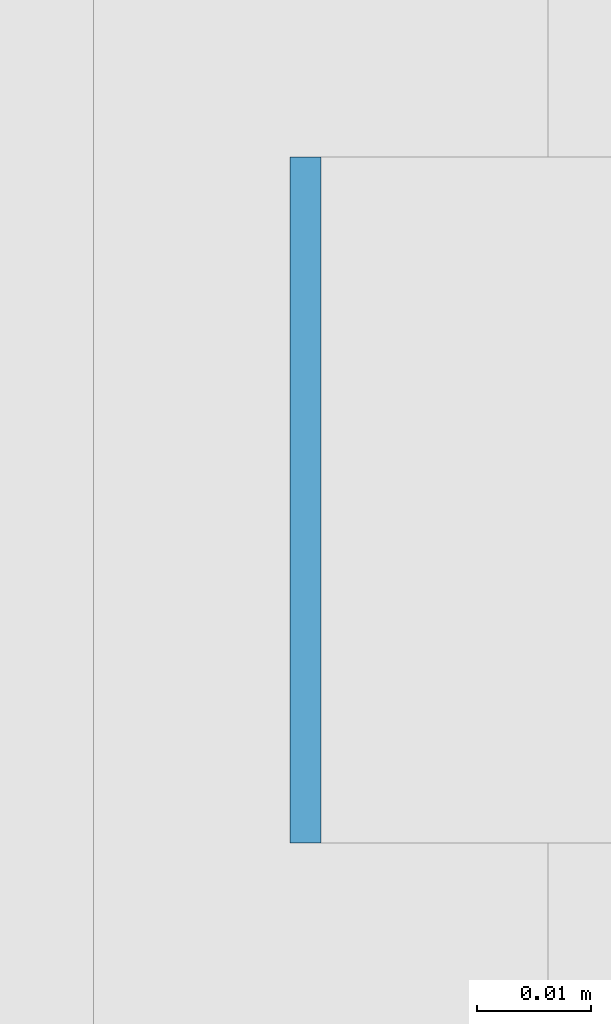
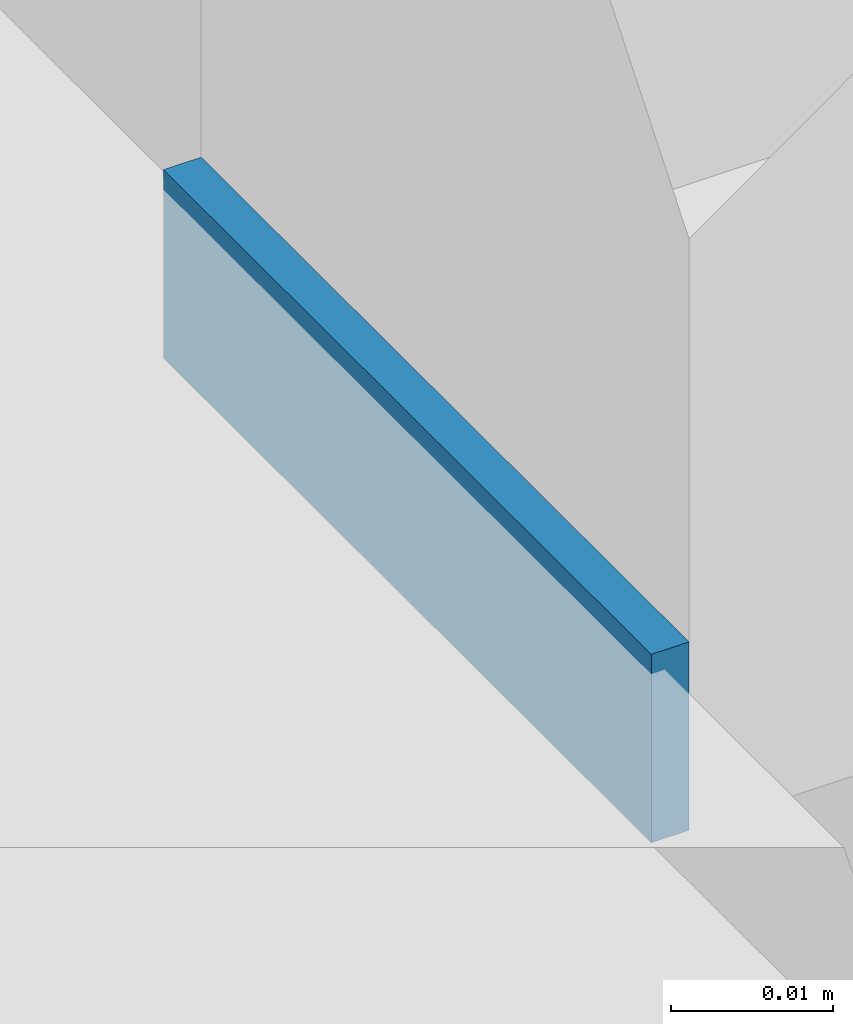
# One storey, part 600 of 646: 1 discrete accessory.
"""IFC4 building model written with IfcOpenShell, lengths in metres."""

from ifc_helpers import new_model, si_unit, direction, frame, origin, origin_2d, place, context, subcontext, project, spatial, rectangle, extrude, material, type_object, element, save


model = new_model("IFC4")

# Units and contexts
model_context = context("Model", 3, precision=1e-05, world=origin(), true_north=direction((0.0, 1.0)))
body_context = subcontext(model_context, "Body", "Model", "MODEL_VIEW")
ifc_project = project(units=[si_unit("LENGTHUNIT", "METRE"), si_unit("AREAUNIT", "SQUARE_METRE"), si_unit("VOLUMEUNIT", "CUBIC_METRE"), si_unit("PLANEANGLEUNIT", "RADIAN"), si_unit("MASSUNIT", "GRAM", prefix="KILO")], contexts=[model_context])

# Site, building, storey
site_placement = place(None, origin())
site = spatial("IfcSite", under=ifc_project, at=site_placement, CompositionType="ELEMENT")
building_placement = place(site_placement, origin())
building = spatial("IfcBuilding", under=site, at=building_placement, Name="Silverbay Arena", CompositionType="ELEMENT")
storey_placement = place(building_placement, frame((0.0, 0.0, 33.5)))
storey = spatial("IfcBuildingStorey", under=building, at=storey_placement, Name="L05", CompositionType="ELEMENT", Elevation=33.5)

# Discrete accessory
ifc_material = material(Name="Steel S355", Category="steel")
discrete_accessory_type = type_object("IfcDiscreteAccessoryType", Name="Steel bracket plate", PredefinedType="BRACKET", material=ifc_material)
discrete_accessory_placement = place(storey_placement, frame((207.128662109375, 123.428466796875, 4.0), z_axis=(0.0, 0.0, 1.0), x_axis=(1.0, 0.0, 0.0)))
element("IfcDiscreteAccessory", 1, at=discrete_accessory_placement, inside=storey, type_object=discrete_accessory_type, Name="Curtain wall packing plate", PredefinedType="BRACKET", context=body_context, shape_type="SweptSolid", body=[
    extrude(rectangle(XDim=0.002685546875, YDim=0.06005859375, at=origin_2d()), origin(), (0.0, 0.0, 1.0), 0.01416015625),
])

save(model, "model.ifc")
